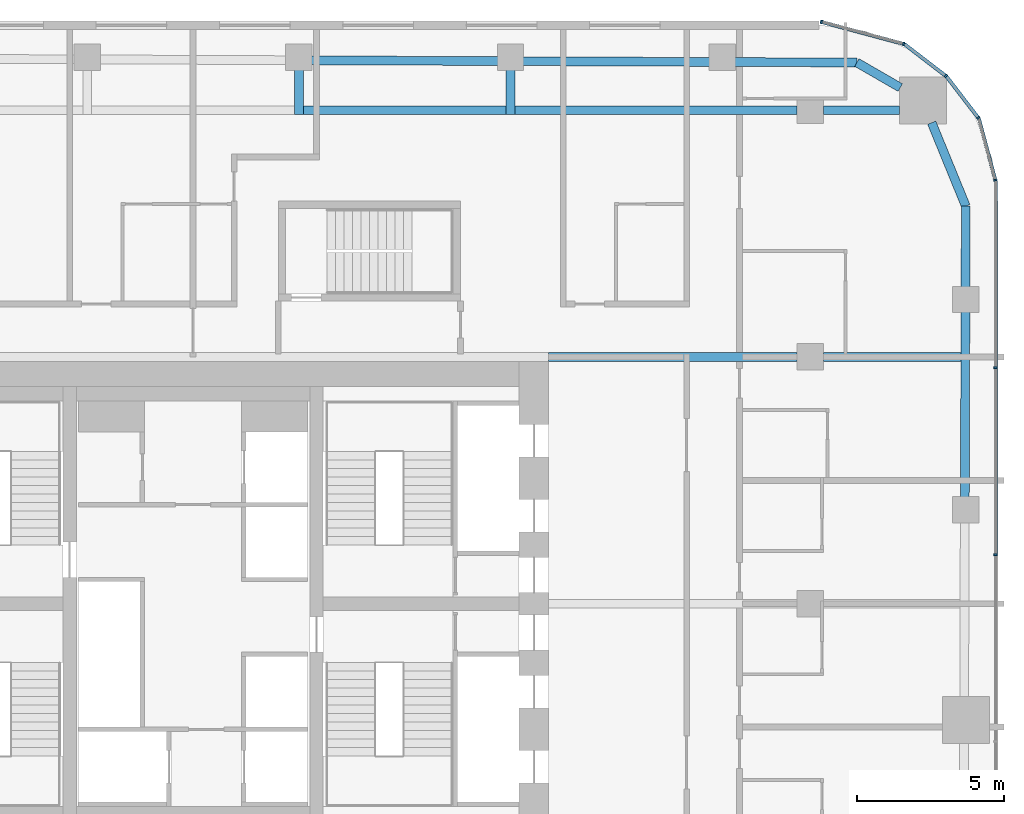
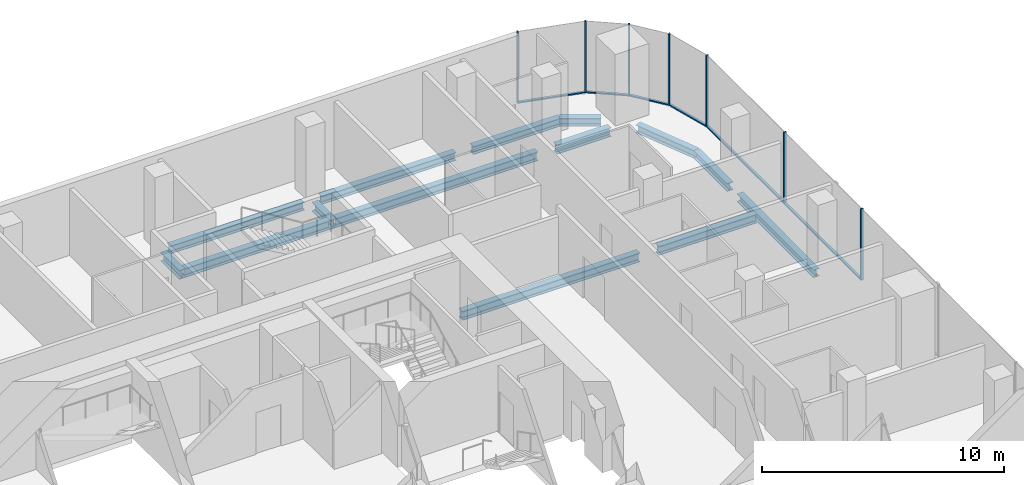
# One storey, part 11 of 23: 14 beams, 13 members, 5 elements without a shape of their own.
"""IFC4 building model written with IfcOpenShell, lengths in metres."""

from ifc_helpers import new_model, si_unit, direction, frame, origin, origin_2d, place, context, subcontext, project, spatial, rectangle, i_section, extrude, material, layer, layer_set, material_profile, profile_set, type_object, element, aggregate, save


model = new_model("IFC4")

# Units and contexts
model_context = context("Model", 3, precision=1e-05, world=origin(), true_north=direction((0.0, 1.0)))
body_context = subcontext(model_context, "Body", "Model", "MODEL_VIEW")
ifc_project = project(units=[si_unit("LENGTHUNIT", "METRE"), si_unit("AREAUNIT", "SQUARE_METRE"), si_unit("VOLUMEUNIT", "CUBIC_METRE"), si_unit("PLANEANGLEUNIT", "RADIAN"), si_unit("MASSUNIT", "GRAM", prefix="KILO")], contexts=[model_context])

# Site, building, storey
site_placement = place(None, origin())
site = spatial("IfcSite", under=ifc_project, at=site_placement, CompositionType="ELEMENT")
building_placement = place(site_placement, origin())
building = spatial("IfcBuilding", under=site, at=building_placement, Name="Marenta Gate Hotel Tower", CompositionType="ELEMENT")
storey_placement = place(building_placement, frame((0.0, 0.0, 140.89990234375)))
storey = spatial("IfcBuildingStorey", under=building, at=storey_placement, Name="L32", CompositionType="ELEMENT", Elevation=140.89990234375)

# Beams
ifc_material_1 = material(Name="Steel S355", Category="steel")
ifc_material_profile_1 = material_profile(ifc_material_1, i_section(OverallWidth=0.300048828125, OverallDepth=0.39990234375, WebThickness=0.013427734375, FlangeThickness=0.02392578125, FilletRadius=0.027099609375, at=origin_2d()), Name="HEB 400")
ifc_profile_set_1 = profile_set([ifc_material_profile_1], Name="Steel S355")
beam_type_1 = type_object("IfcBeamType", Name="Edge beam HEB 400", PredefinedType="SPANDREL", material=ifc_profile_set_1)
beam_1_placement = place(storey_placement, frame((4.011474609375, 26.89697265625, -0.4599609375), z_axis=(0.999991780119, -0.004054589324, 0.0), x_axis=(0.004054589324, 0.999991780119, 0.0)))
element("IfcBeam", 1, at=beam_1_placement, inside=storey, type_object=beam_type_1, Name="L32-EB-17", PredefinedType="SPANDREL", context=body_context, shape_type="SweptSolid", body=[
    extrude(i_section(OverallWidth=0.300048828125, OverallDepth=0.39990234375, WebThickness=0.013427734375, FlangeThickness=0.02392578125, FilletRadius=0.027099609375, at=origin_2d()), origin(), (0.0, 0.0, 1.0), 6.382568359375),
])
beam_2_placement = place(storey_placement, frame((11.214111328125, 26.86767578125, -0.4599609375), z_axis=(0.999991780748, -0.00405443424, 0.0), x_axis=(0.00405443424, 0.999991780748, 0.0)))
element("IfcBeam", 2, at=beam_2_placement, inside=storey, type_object=beam_type_1, Name="L32-EB-18", PredefinedType="SPANDREL", context=body_context, shape_type="SweptSolid", body=[
    extrude(i_section(OverallWidth=0.300048828125, OverallDepth=0.39990234375, WebThickness=0.013427734375, FlangeThickness=0.02392578125, FilletRadius=0.027099609375, at=origin_2d()), origin(), (0.0, 0.0, 1.0), 6.3828125),
])
beam_3_placement = place(storey_placement, frame((18.4169921875, 26.83837890625, -0.4599609375), z_axis=(0.999991621459, -0.004093532953, 0.0), x_axis=(0.004093532953, 0.999991621459, 0.0)))
element("IfcBeam", 3, at=beam_3_placement, inside=storey, type_object=beam_type_1, Name="L32-EB-19", PredefinedType="SPANDREL", context=body_context, shape_type="SweptSolid", body=[
    extrude(i_section(OverallWidth=0.300048828125, OverallDepth=0.39990234375, WebThickness=0.013427734375, FlangeThickness=0.02392578125, FilletRadius=0.027099609375, at=origin_2d()), origin(), (0.0, 0.0, 1.0), 4.1748046875),
])
beam_4_placement = place(storey_placement, frame((22.591796875, 26.8212890625, -0.4599609375), z_axis=(0.866016478054, -0.500015459501, 0.0), x_axis=(0.500015459501, 0.866016478054, 0.0)))
element("IfcBeam", 4, at=beam_4_placement, inside=storey, type_object=beam_type_1, Name="L32-EB-20", PredefinedType="SPANDREL", context=body_context, shape_type="SweptSolid", body=[
    extrude(i_section(OverallWidth=0.300048828125, OverallDepth=0.39990234375, WebThickness=0.013427734375, FlangeThickness=0.02392578125, FilletRadius=0.027099609375, at=origin_2d()), origin(), (0.0, 0.0, 1.0), 1.70703125),
])
beam_5_placement = place(storey_placement, frame((25.138916015625, 24.7724609375, -0.4599609375), z_axis=(0.378682450416, -0.925526661824, 0.0), x_axis=(0.925526661824, 0.378682450416, 0.0)))
element("IfcBeam", 5, at=beam_5_placement, inside=storey, type_object=beam_type_1, Name="L32-EB-21", PredefinedType="SPANDREL", context=body_context, shape_type="SweptSolid", body=[
    extrude(i_section(OverallWidth=0.300048828125, OverallDepth=0.39990234375, WebThickness=0.013427734375, FlangeThickness=0.02392578125, FilletRadius=0.027099609375, at=origin_2d()), origin(), (0.0, 0.0, 1.0), 3.066162109375),
])
beam_6_placement = place(storey_placement, frame((26.300048828125, 21.9345703125, -0.4599609375), z_axis=(-0.003351542298, -0.999994383566, 0.0), x_axis=(0.999994383566, -0.003351542298, 0.0)))
element("IfcBeam", 6, at=beam_6_placement, inside=storey, type_object=beam_type_1, Name="L32-EB-22", PredefinedType="SPANDREL", context=body_context, shape_type="SweptSolid", body=[
    extrude(i_section(OverallWidth=0.300048828125, OverallDepth=0.39990234375, WebThickness=0.013427734375, FlangeThickness=0.02392578125, FilletRadius=0.027099609375, at=origin_2d()), origin(), (0.0, 0.0, 1.0), 2.76806640625),
])
beam_7_placement = place(storey_placement, frame((26.2880859375, 18.346435546875, -0.4599609375), z_axis=(-0.00335374545, -0.99999437618, 0.0), x_axis=(0.99999437618, -0.00335374545, 0.0)))
element("IfcBeam", 7, at=beam_7_placement, inside=storey, type_object=beam_type_1, Name="L32-EB-23", PredefinedType="SPANDREL", context=body_context, shape_type="SweptSolid", body=[
    extrude(i_section(OverallWidth=0.300048828125, OverallDepth=0.39990234375, WebThickness=0.013427734375, FlangeThickness=0.02392578125, FilletRadius=0.027099609375, at=origin_2d()), origin(), (0.0, 0.0, 1.0), 6.333251953125),
])
ifc_material_2 = material(Name="Steel S355", Category="steel")
ifc_material_profile_2 = material_profile(ifc_material_2, i_section(OverallWidth=0.300048828125, OverallDepth=0.449951171875, WebThickness=0.013916015625, FlangeThickness=0.02587890625, FilletRadius=0.027099609375, at=origin_2d()), Name="HEB 450")
ifc_profile_set_2 = profile_set([ifc_material_profile_2], Name="Steel S355")
beam_type_2 = type_object("IfcBeamType", Name="Girder HEB 450", PredefinedType="BEAM", material=ifc_profile_set_2)
beam_8_placement = place(storey_placement, frame((12.10009765625, 16.800048828125, -0.48486328125), z_axis=(1.0, 0.0, 0.0), x_axis=(0.0, 1.0, 0.0)))
element("IfcBeam", 8, at=beam_8_placement, inside=storey, type_object=beam_type_2, Name="L32-GD-27", PredefinedType="BEAM", context=body_context, shape_type="SweptSolid", body=[
    extrude(i_section(OverallWidth=0.300048828125, OverallDepth=0.449951171875, WebThickness=0.013916015625, FlangeThickness=0.02587890625, FilletRadius=0.027099609375, at=origin_2d()), origin(), (0.0, 0.0, 1.0), 8.449951171875),
])
beam_9_placement = place(storey_placement, frame((21.449951171875, 16.800048828125, -0.48486328125), z_axis=(1.0, 0.0, 0.0), x_axis=(0.0, 1.0, 0.0)))
element("IfcBeam", 9, at=beam_9_placement, inside=storey, type_object=beam_type_2, Name="L32-GD-28", PredefinedType="BEAM", context=body_context, shape_type="SweptSolid", body=[
    extrude(i_section(OverallWidth=0.300048828125, OverallDepth=0.449951171875, WebThickness=0.013916015625, FlangeThickness=0.02587890625, FilletRadius=0.027099609375, at=origin_2d()), origin(), (0.0, 0.0, 1.0), 4.682861328125),
])
beam_10_placement = place(storey_placement, frame((3.75146484375, 25.199951171875, -0.48486328125), z_axis=(1.0, 0.0, 0.0), x_axis=(0.0, 1.0, 0.0)))
element("IfcBeam", 10, at=beam_10_placement, inside=storey, type_object=beam_type_2, Name="L32-GD-33", PredefinedType="BEAM", context=body_context, shape_type="SweptSolid", body=[
    extrude(i_section(OverallWidth=0.300048828125, OverallDepth=0.449951171875, WebThickness=0.013916015625, FlangeThickness=0.02587890625, FilletRadius=0.027099609375, at=origin_2d()), origin(), (0.0, 0.0, 1.0), 6.902587890625),
])
beam_11_placement = place(storey_placement, frame((10.9541015625, 25.199951171875, -0.48486328125), z_axis=(1.0, 0.0, 0.0), x_axis=(0.0, 1.0, 0.0)))
element("IfcBeam", 11, at=beam_11_placement, inside=storey, type_object=beam_type_2, Name="L32-GD-34", PredefinedType="BEAM", context=body_context, shape_type="SweptSolid", body=[
    extrude(i_section(OverallWidth=0.300048828125, OverallDepth=0.449951171875, WebThickness=0.013916015625, FlangeThickness=0.02587890625, FilletRadius=0.027099609375, at=origin_2d()), origin(), (0.0, 0.0, 1.0), 9.595947265625),
])
beam_12_placement = place(storey_placement, frame((21.449951171875, 25.199951171875, -0.48486328125), z_axis=(1.0, 0.0, 0.0), x_axis=(0.0, 1.0, 0.0)))
element("IfcBeam", 12, at=beam_12_placement, inside=storey, type_object=beam_type_2, Name="L32-GD-35", PredefinedType="BEAM", context=body_context, shape_type="SweptSolid", body=[
    extrude(i_section(OverallWidth=0.300048828125, OverallDepth=0.449951171875, WebThickness=0.013916015625, FlangeThickness=0.02587890625, FilletRadius=0.027099609375, at=origin_2d()), origin(), (0.0, 0.0, 1.0), 2.58544921875),
])
ifc_material_3 = material(Name="Steel S355", Category="steel")
ifc_material_profile_3 = material_profile(ifc_material_3, i_section(OverallWidth=0.300048828125, OverallDepth=0.449951171875, WebThickness=0.013916015625, FlangeThickness=0.02587890625, FilletRadius=0.027099609375, at=origin_2d()), Name="HEB 450")
ifc_profile_set_3 = profile_set([ifc_material_profile_3], Name="Steel S355")
beam_type_3 = type_object("IfcBeamType", Name="Girder bracket HEB 450", PredefinedType="BEAM", material=ifc_profile_set_3)
for number, where, z_axis, x_axis, name in (
    (13, (3.601318359375, 25.050048828125, -0.48486328125), (0.0, 1.0, 0.0), (-1.0, 0.0, 0.0), "L32-GS-3"),
    (14, (10.80419921875, 25.050048828125, -0.48486328125), (0.0, 1.0, 0.0), (-1.0, 0.0, 0.0), "L32-GS-4"),
):
    element("IfcBeam", number, at=place(storey_placement, frame(where, z_axis=z_axis, x_axis=x_axis)), inside=storey, type_object=beam_type_3, Name=name, PredefinedType="BEAM", context=body_context, shape_type="SweptSolid", body=[
        extrude(i_section(OverallWidth=0.300048828125, OverallDepth=0.449951171875, WebThickness=0.013916015625, FlangeThickness=0.02587890625, FilletRadius=0.027099609375, at=origin_2d()), origin(), (0.0, 0.0, 1.0), 1.5400390625),
    ])

# Curtain wall, members
ifc_material_4 = material(Name="Tinted insulated glass in bronze anodised frame", Category="glass")
ifc_layer = layer(ifc_material_4, 0.1201171875)
ifc_layer_set = layer_set([ifc_layer], Name="Tinted insulated glass in bronze anodised frame")
curtain_wall_type = type_object("IfcCurtainWallType", Name="Tower unitised curtain wall CW1", PredefinedType="NOTDEFINED", material=ifc_layer_set)
curtain_wall_1_placement = place(storey_placement, origin())
curtain_wall_1 = element("IfcCurtainWall", 15, at=curtain_wall_1_placement, inside=storey, type_object=curtain_wall_type, Name="CW1 run G11", PredefinedType="NOTDEFINED")
ifc_material_5 = material(Name="Bronze anodised aluminium", Category="aluminium")
ifc_material_profile_4 = material_profile(ifc_material_5, rectangle(XDim=0.1201171875, YDim=0.06005859375, at=origin_2d()), Name="Mullion CW1 60x120 bronze anodised aluminium")
ifc_profile_set_4 = profile_set([ifc_material_profile_4], Name="Bronze anodised aluminium")
member_type_1 = type_object("IfcMemberType", Name="Mullion CW1 60x120 bronze anodised aluminium", PredefinedType="MULLION", material=ifc_profile_set_4)
member_1_placement = place(storey_placement, frame((27.31396484375, 10.072021484375, 0.0), z_axis=(0.0, 0.0, 1.0), x_axis=(-1.0, 0.0, 0.0)))
member_1 = element("IfcMember", 16, at=member_1_placement, type_object=member_type_1, Name="CW1 mullion 5", PredefinedType="MULLION", context=body_context, shape_type="SweptSolid", body=[
    extrude(rectangle(XDim=0.1201171875, YDim=0.06005859375, at=origin_2d()), origin(), (0.0, 0.0, 1.0), 3.60009765625),
])
member_2_placement = place(storey_placement, frame((27.31396484375, 16.431884765625, 0.0), z_axis=(0.0, 0.0, 1.0), x_axis=(-1.0, 0.0, 0.0)))
member_2 = element("IfcMember", 17, at=member_2_placement, type_object=member_type_1, Name="CW1 mullion 6", PredefinedType="MULLION", context=body_context, shape_type="SweptSolid", body=[
    extrude(rectangle(XDim=0.1201171875, YDim=0.06005859375, at=origin_2d()), origin(), (0.0, 0.0, 1.0), 3.60009765625),
])

# Curtain wall, member
curtain_wall_2_placement = place(storey_placement, origin())
curtain_wall_2 = element("IfcCurtainWall", 18, at=curtain_wall_2_placement, inside=storey, type_object=curtain_wall_type, Name="CW1 run G12", PredefinedType="NOTDEFINED")
member_3_placement = place(storey_placement, frame((27.30615234375, 22.82080078125, 0.0), z_axis=(0.0, 0.0, 1.0), x_axis=(-0.965924859908, -0.258822651658, 0.0)))
member_3 = element("IfcMember", 19, at=member_3_placement, type_object=member_type_1, Name="CW1 mullion 1", PredefinedType="MULLION", context=body_context, shape_type="SweptSolid", body=[
    extrude(rectangle(XDim=0.1201171875, YDim=0.06005859375, at=origin_2d()), origin(), (0.0, 0.0, 1.0), 3.60009765625),
])

curtain_wall_3_placement = place(storey_placement, origin())
curtain_wall_3 = element("IfcCurtainWall", 20, at=curtain_wall_3_placement, inside=storey, type_object=curtain_wall_type, Name="CW1 run G13", PredefinedType="NOTDEFINED")
member_4_placement = place(storey_placement, frame((26.727783203125, 24.93505859375, 0.0), z_axis=(0.0, 0.0, 1.0), x_axis=(-0.793326722289, -0.608796116694, 0.0)))
member_4 = element("IfcMember", 21, at=member_4_placement, type_object=member_type_1, Name="CW1 mullion 1", PredefinedType="MULLION", context=body_context, shape_type="SweptSolid", body=[
    extrude(rectangle(XDim=0.1201171875, YDim=0.06005859375, at=origin_2d()), origin(), (0.0, 0.0, 1.0), 3.60009765625),
])

curtain_wall_4_placement = place(storey_placement, origin())
curtain_wall_4 = element("IfcCurtainWall", 22, at=curtain_wall_4_placement, inside=storey, type_object=curtain_wall_type, Name="CW1 run G14", PredefinedType="NOTDEFINED")
member_5_placement = place(storey_placement, frame((25.62158203125, 26.36376953125, 0.0), z_axis=(0.0, 0.0, 1.0), x_axis=(-0.608796116694, -0.793326722289, 0.0)))
member_5 = element("IfcMember", 23, at=member_5_placement, type_object=member_type_1, Name="CW1 mullion 1", PredefinedType="MULLION", context=body_context, shape_type="SweptSolid", body=[
    extrude(rectangle(XDim=0.1201171875, YDim=0.06005859375, at=origin_2d()), origin(), (0.0, 0.0, 1.0), 3.60009765625),
])

# Curtain wall, members
curtain_wall_5_placement = place(storey_placement, origin())
curtain_wall_5 = element("IfcCurtainWall", 24, at=curtain_wall_5_placement, inside=storey, type_object=curtain_wall_type, Name="CW1 run G15", PredefinedType="NOTDEFINED")
member_6_placement = place(storey_placement, frame((24.182373046875, 27.453857421875, 0.0), z_axis=(0.0, 0.0, 1.0), x_axis=(-0.258805989975, -0.965929324305, 0.0)))
member_6 = element("IfcMember", 25, at=member_6_placement, type_object=member_type_1, Name="CW1 mullion 1", PredefinedType="MULLION", context=body_context, shape_type="SweptSolid", body=[
    extrude(rectangle(XDim=0.1201171875, YDim=0.06005859375, at=origin_2d()), origin(), (0.0, 0.0, 1.0), 3.60009765625),
])
member_7_placement = place(storey_placement, frame((21.385498046875, 28.203125, 0.0), z_axis=(0.0, 0.0, 1.0), x_axis=(-0.258805989975, -0.965929324305, 0.0)))
member_7 = element("IfcMember", 26, at=member_7_placement, type_object=member_type_1, Name="CW1 mullion 2", PredefinedType="MULLION", context=body_context, shape_type="SweptSolid", body=[
    extrude(rectangle(XDim=0.1201171875, YDim=0.06005859375, at=origin_2d()), origin(), (0.0, 0.0, 1.0), 3.60009765625),
])

# Member
ifc_material_6 = material(Name="Bronze anodised aluminium", Category="aluminium")
ifc_material_profile_5 = material_profile(ifc_material_6, rectangle(XDim=0.1201171875, YDim=0.06005859375, at=origin_2d()), Name="Transom CW1 60x120 bronze anodised aluminium")
ifc_profile_set_5 = profile_set([ifc_material_profile_5], Name="Bronze anodised aluminium")
member_type_2 = type_object("IfcMemberType", Name="Transom CW1 60x120 bronze anodised aluminium", PredefinedType="USERDEFINED", material=ifc_profile_set_5)
member_8_placement = place(storey_placement, frame((27.31396484375, 10.10205078125, 0.030029296875), z_axis=(0.0, 1.0, 0.0), x_axis=(-1.0, 0.0, 0.0)))
member_8 = element("IfcMember", 27, at=member_8_placement, type_object=member_type_2, Name="CW1 transom 5.1", ObjectType="TRANSOM", PredefinedType="USERDEFINED", context=body_context, shape_type="SweptSolid", body=[
    extrude(rectangle(XDim=0.1201171875, YDim=0.06005859375, at=origin_2d()), origin(), (0.0, 0.0, 1.0), 6.2998046875),
])

member_9_placement = place(storey_placement, frame((27.31396484375, 16.4619140625, 0.030029296875), z_axis=(0.0, 1.0, 0.0), x_axis=(-1.0, 0.0, 0.0)))
member_9 = element("IfcMember", 28, at=member_9_placement, type_object=member_type_2, Name="CW1 transom 6.1", ObjectType="TRANSOM", PredefinedType="USERDEFINED", context=body_context, shape_type="SweptSolid", body=[
    extrude(rectangle(XDim=0.1201171875, YDim=0.06005859375, at=origin_2d()), origin(), (0.0, 0.0, 1.0), 6.330078125),
])

aggregate(curtain_wall_1, [member_1, member_2, member_8, member_9])

member_10_placement = place(storey_placement, frame((27.298583984375, 22.849853515625, 0.030029296875), z_axis=(-0.258865686882, 0.965913327455, 0.0), x_axis=(-0.965913327455, -0.258865686882, 0.0)))
member_10 = element("IfcMember", 29, at=member_10_placement, type_object=member_type_2, Name="CW1 transom 1.1", ObjectType="TRANSOM", PredefinedType="USERDEFINED", context=body_context, shape_type="SweptSolid", body=[
    extrude(rectangle(XDim=0.1201171875, YDim=0.06005859375, at=origin_2d()), origin(), (0.0, 0.0, 1.0), 2.13427734375),
])

aggregate(curtain_wall_2, [member_3, member_10])

member_11_placement = place(storey_placement, frame((26.70947265625, 24.958984375, 0.030029296875), z_axis=(-0.608792205599, 0.793329723634, 0.0), x_axis=(-0.793329723634, -0.608792205599, 0.0)))
member_11 = element("IfcMember", 30, at=member_11_placement, type_object=member_type_2, Name="CW1 transom 1.1", ObjectType="TRANSOM", PredefinedType="USERDEFINED", context=body_context, shape_type="SweptSolid", body=[
    extrude(rectangle(XDim=0.1201171875, YDim=0.06005859375, at=origin_2d()), origin(), (0.0, 0.0, 1.0), 1.74755859375),
])

aggregate(curtain_wall_3, [member_4, member_11])

member_12_placement = place(storey_placement, frame((25.597900390625, 26.382080078125, 0.030029296875), z_axis=(-0.793381490019, 0.608724741814, 0.0), x_axis=(-0.608724741814, -0.793381490019, 0.0)))
member_12 = element("IfcMember", 31, at=member_12_placement, type_object=member_type_2, Name="CW1 transom 1.1", ObjectType="TRANSOM", PredefinedType="USERDEFINED", context=body_context, shape_type="SweptSolid", body=[
    extrude(rectangle(XDim=0.1201171875, YDim=0.06005859375, at=origin_2d()), origin(), (0.0, 0.0, 1.0), 1.747802734375),
])

aggregate(curtain_wall_4, [member_5, member_12])

member_13_placement = place(storey_placement, frame((24.1533203125, 27.461669921875, 0.030029296875), z_axis=(-0.965922684272, 0.258830770986, 0.0), x_axis=(-0.258830770986, -0.965922684272, 0.0)))
member_13 = element("IfcMember", 32, at=member_13_placement, type_object=member_type_2, Name="CW1 transom 1.1", ObjectType="TRANSOM", PredefinedType="USERDEFINED", context=body_context, shape_type="SweptSolid", body=[
    extrude(rectangle(XDim=0.1201171875, YDim=0.06005859375, at=origin_2d()), origin(), (0.0, 0.0, 1.0), 2.83544921875),
])

aggregate(curtain_wall_5, [member_6, member_7, member_13])

save(model, "model.ifc")
